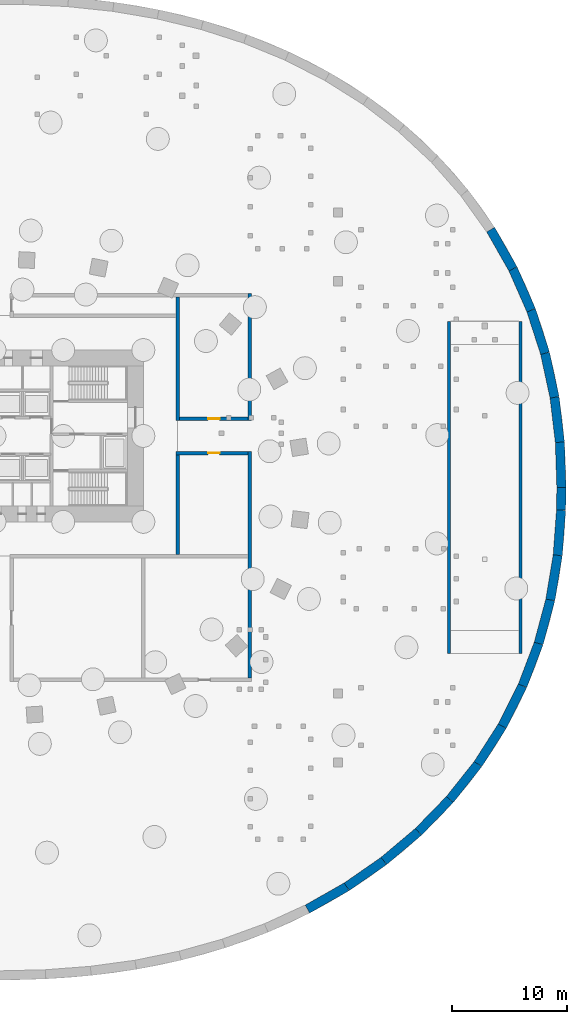
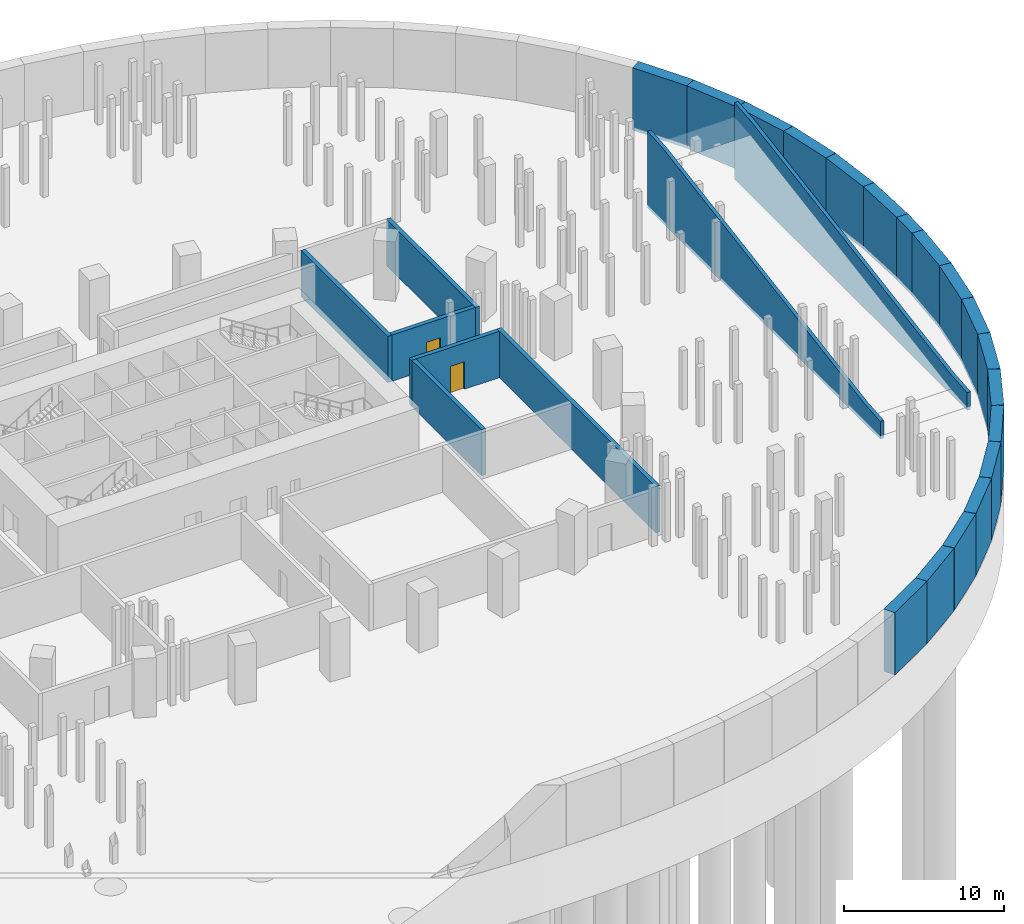
# One storey, part 7 of 10: 26 walls, 2 doors, 2 openings.
"""IFC4 building model written with IfcOpenShell, lengths in metres."""

from ifc_helpers import new_model, si_unit, direction, frame, frame_2d, origin, place, context, subcontext, project, spatial, polyline, rectangle, outline, extrude, material, layer, layer_set, type_object, element, fill, save


model = new_model("IFC4")

# Units and contexts
model_context = context("Model", 3, precision=1e-05, world=origin(), true_north=direction((0.0, 1.0)))
body_context = subcontext(model_context, "Body", "Model", "MODEL_VIEW")
ifc_project = project(units=[si_unit("LENGTHUNIT", "METRE"), si_unit("AREAUNIT", "SQUARE_METRE"), si_unit("VOLUMEUNIT", "CUBIC_METRE"), si_unit("PLANEANGLEUNIT", "RADIAN"), si_unit("MASSUNIT", "GRAM", prefix="KILO")], contexts=[model_context])

# Site, building, storey
site_placement = place(None, origin())
site = spatial("IfcSite", under=ifc_project, at=site_placement, CompositionType="ELEMENT")
building_placement = place(site_placement, origin())
building = spatial("IfcBuilding", under=site, at=building_placement, Name="Rubra Terraces Tower", CompositionType="ELEMENT")
storey_placement = place(building_placement, frame((0.0, 0.0, -15.0)))
storey = spatial("IfcBuildingStorey", under=building, at=storey_placement, Name="B3", CompositionType="ELEMENT", Elevation=-15.0)

# Walls
ifc_material_1 = material(Name="Concrete C40", Category="concrete")
ifc_layer_1 = layer(ifc_material_1, 0.800048828125)
ifc_layer_set_1 = layer_set([ifc_layer_1], Name="Concrete C40")
wall_type_1 = type_object("IfcWallType", Name="BASEMENT WALL 800", PredefinedType="SOLIDWALL", material=ifc_layer_set_1)
wall_1_placement = place(storey_placement, frame((49.5, -0.00390625, -0.25), z_axis=(0.0, 0.0, 1.0), x_axis=(-0.01474436979, -0.999891295871, 0.0)))
element("IfcWall", 1, at=wall_1_placement, inside=storey, type_object=wall_type_1, Name="wall-B3-basement-001", PredefinedType="SOLIDWALL", context=body_context, shape_type="SweptSolid", body=[
    extrude(rectangle(XDim=1.970458984375, YDim=0.800048828125, at=frame_2d((0.9853515625, 0.0))), origin(), (0.0, 0.0, 1.0), 4.75),
])
wall_2_placement = place(storey_placement, frame((49.470947265625, -1.97412109375, -0.25), z_axis=(0.0, 0.0, 1.0), x_axis=(-0.074099136605, -0.997250880147, 0.0)))
element("IfcWall", 2, at=wall_2_placement, inside=storey, type_object=wall_type_1, Name="wall-B3-basement-002", PredefinedType="SOLIDWALL", context=body_context, shape_type="SweptSolid", body=[
    extrude(rectangle(XDim=3.953857421875, YDim=0.800048828125, at=frame_2d((1.97705078125, 0.0))), origin(), (0.0, 0.0, 1.0), 4.75),
])
wall_3_placement = place(storey_placement, frame((49.177978515625, -5.9169921875, -0.25), z_axis=(0.0, 0.0, 1.0), x_axis=(-0.163455839826, -0.986550651729, 0.0)))
element("IfcWall", 3, at=wall_3_placement, inside=storey, type_object=wall_type_1, Name="wall-B3-basement-003", PredefinedType="SOLIDWALL", context=body_context, shape_type="SweptSolid", body=[
    extrude(rectangle(XDim=3.946044921875, YDim=0.800048828125, at=frame_2d((1.97314453125, 0.0))), origin(), (0.0, 0.0, 1.0), 4.75),
])
wall_4_placement = place(storey_placement, frame((48.532958984375, -9.81005859375, -0.25), z_axis=(0.0, 0.0, 1.0), x_axis=(-0.259149694678, -0.965837168341, 0.0)))
element("IfcWall", 4, at=wall_4_placement, inside=storey, type_object=wall_type_1, Name="wall-B3-basement-004", PredefinedType="SOLIDWALL", context=body_context, shape_type="SweptSolid", body=[
    extrude(rectangle(XDim=3.943603515625, YDim=0.800048828125, at=frame_2d((1.9716796875, 0.0))), origin(), (0.0, 0.0, 1.0), 4.75),
])
wall_5_placement = place(storey_placement, frame((47.510986328125, -13.618896484375, -0.25), z_axis=(0.0, 0.0, 1.0), x_axis=(-0.355258877159, -0.93476795527, 0.0)))
element("IfcWall", 5, at=wall_5_placement, inside=storey, type_object=wall_type_1, Name="wall-B3-basement-005", PredefinedType="SOLIDWALL", context=body_context, shape_type="SweptSolid", body=[
    extrude(rectangle(XDim=3.943359375, YDim=0.800048828125, at=frame_2d((1.9716796875, 0.0))), origin(), (0.0, 0.0, 1.0), 4.75),
])
wall_6_placement = place(storey_placement, frame((46.110107421875, -17.304931640625, -0.25), z_axis=(0.0, 0.0, 1.0), x_axis=(-0.44924376219, -0.893409224339, 0.0)))
element("IfcWall", 6, at=wall_6_placement, inside=storey, type_object=wall_type_1, Name="wall-B3-basement-006", PredefinedType="SOLIDWALL", context=body_context, shape_type="SweptSolid", body=[
    extrude(rectangle(XDim=3.942138671875, YDim=0.800048828125, at=frame_2d((1.97119140625, 0.0))), origin(), (0.0, 0.0, 1.0), 4.75),
])
wall_7_placement = place(storey_placement, frame((44.339111328125, -20.826904296875, -0.25), z_axis=(0.0, 0.0, 1.0), x_axis=(-0.538906036872, -0.842365884532, 0.0)))
element("IfcWall", 7, at=wall_7_placement, inside=storey, type_object=wall_type_1, Name="wall-B3-basement-007", PredefinedType="SOLIDWALL", context=body_context, shape_type="SweptSolid", body=[
    extrude(rectangle(XDim=3.94140625, YDim=0.800048828125, at=frame_2d((1.970703125, 0.0))), origin(), (0.0, 0.0, 1.0), 4.75),
])
wall_8_placement = place(storey_placement, frame((42.215087890625, -24.14697265625, -0.25), z_axis=(0.0, 0.0, 1.0), x_axis=(-0.622154611961, -0.782894398252, 0.0)))
element("IfcWall", 8, at=wall_8_placement, inside=storey, type_object=wall_type_1, Name="wall-B3-basement-008", PredefinedType="SOLIDWALL", context=body_context, shape_type="SweptSolid", body=[
    extrude(rectangle(XDim=3.94287109375, YDim=0.800048828125, at=frame_2d((1.971435546875, 0.0))), origin(), (0.0, 0.0, 1.0), 4.75),
])
wall_9_placement = place(storey_placement, frame((39.761962890625, -27.23388671875, -0.25), z_axis=(0.0, 0.0, 1.0), x_axis=(-0.697258698396, -0.716819578074, 0.0)))
element("IfcWall", 9, at=wall_9_placement, inside=storey, type_object=wall_type_1, Name="wall-B3-basement-009", PredefinedType="SOLIDWALL", context=body_context, shape_type="SweptSolid", body=[
    extrude(rectangle(XDim=3.944091796875, YDim=0.800048828125, at=frame_2d((1.97216796875, 0.0))), origin(), (0.0, 0.0, 1.0), 4.75),
])
wall_10_placement = place(storey_placement, frame((37.011962890625, -30.06103515625, -0.25), z_axis=(0.0, 0.0, 1.0), x_axis=(-0.764050254551, -0.645156731749, 0.0)))
element("IfcWall", 10, at=wall_10_placement, inside=storey, type_object=wall_type_1, Name="wall-B3-basement-010", PredefinedType="SOLIDWALL", context=body_context, shape_type="SweptSolid", body=[
    extrude(rectangle(XDim=3.944580078125, YDim=0.800048828125, at=frame_2d((1.97216796875, 0.0))), origin(), (0.0, 0.0, 1.0), 4.75),
])
wall_11_placement = place(storey_placement, frame((33.998046875, -32.60595703125, -0.25), z_axis=(0.0, 0.0, 1.0), x_axis=(-0.821333730516, -0.570447984584, 0.0)))
element("IfcWall", 11, at=wall_11_placement, inside=storey, type_object=wall_type_1, Name="wall-B3-basement-011", PredefinedType="SOLIDWALL", context=body_context, shape_type="SweptSolid", body=[
    extrude(rectangle(XDim=3.946044921875, YDim=0.800048828125, at=frame_2d((1.97314453125, 0.0))), origin(), (0.0, 0.0, 1.0), 4.75),
])
wall_12_placement = place(storey_placement, frame((30.757080078125, -34.85693359375, -0.25), z_axis=(0.0, 0.0, 1.0), x_axis=(-0.869457764199, -0.494007283625, 0.0)))
element("IfcWall", 12, at=wall_12_placement, inside=storey, type_object=wall_type_1, Name="wall-B3-basement-012", PredefinedType="SOLIDWALL", context=body_context, shape_type="SweptSolid", body=[
    extrude(rectangle(XDim=3.94970703125, YDim=0.800048828125, at=frame_2d((1.974853515625, 0.0))), origin(), (0.0, 0.0, 1.0), 4.75),
])
wall_13_placement = place(storey_placement, frame((43.320068359375, 22.513916015625, -0.25), z_axis=(0.0, 0.0, 1.0), x_axis=(0.494650889592, -0.869091765825, 0.0)))
element("IfcWall", 13, at=wall_13_placement, inside=storey, type_object=wall_type_1, Name="wall-B3-basement-070", PredefinedType="SOLIDWALL", context=body_context, shape_type="SweptSolid", body=[
    extrude(rectangle(XDim=3.942138671875, YDim=0.800048828125, at=frame_2d((1.97119140625, 0.0))), origin(), (0.0, 0.0, 1.0), 4.75),
])
wall_14_placement = place(storey_placement, frame((45.27001953125, 19.087890625, -0.25), z_axis=(0.0, 0.0, 1.0), x_axis=(0.402825786485, -0.915276671691, 0.0)))
element("IfcWall", 14, at=wall_14_placement, inside=storey, type_object=wall_type_1, Name="wall-B3-basement-071", PredefinedType="SOLIDWALL", context=body_context, shape_type="SweptSolid", body=[
    extrude(rectangle(XDim=3.94189453125, YDim=0.800048828125, at=frame_2d((1.970947265625, 0.0))), origin(), (0.0, 0.0, 1.0), 4.75),
])
wall_15_placement = place(storey_placement, frame((46.85791015625, 15.47998046875, -0.25), z_axis=(0.0, 0.0, 1.0), x_axis=(0.307131205026, -0.951667180741, 0.0)))
element("IfcWall", 15, at=wall_15_placement, inside=storey, type_object=wall_type_1, Name="wall-B3-basement-072", PredefinedType="SOLIDWALL", context=body_context, shape_type="SweptSolid", body=[
    extrude(rectangle(XDim=3.943603515625, YDim=0.800048828125, at=frame_2d((1.9716796875, 0.0))), origin(), (0.0, 0.0, 1.0), 4.75),
])
wall_16_placement = place(storey_placement, frame((48.069091796875, 11.72705078125, -0.25), z_axis=(0.0, 0.0, 1.0), x_axis=(0.211211318585, -0.977440422175, 0.0)))
element("IfcWall", 16, at=wall_16_placement, inside=storey, type_object=wall_type_1, Name="wall-B3-basement-073", PredefinedType="SOLIDWALL", context=body_context, shape_type="SweptSolid", body=[
    extrude(rectangle(XDim=3.94384765625, YDim=0.800048828125, at=frame_2d((1.971923828125, 0.0))), origin(), (0.0, 0.0, 1.0), 4.75),
])
wall_17_placement = place(storey_placement, frame((48.902099609375, 7.8720703125, -0.25), z_axis=(0.0, 0.0, 1.0), x_axis=(0.117752618561, -0.99304296021, 0.0)))
element("IfcWall", 17, at=wall_17_placement, inside=storey, type_object=wall_type_1, Name="wall-B3-basement-074", PredefinedType="SOLIDWALL", context=body_context, shape_type="SweptSolid", body=[
    extrude(rectangle(XDim=3.947509765625, YDim=0.800048828125, at=frame_2d((1.9736328125, 0.0))), origin(), (0.0, 0.0, 1.0), 4.75),
])
wall_18_placement = place(storey_placement, frame((49.366943359375, 3.951904296875, -0.25), z_axis=(0.0, 0.0, 1.0), x_axis=(0.03361673547, -0.999434797821, 0.0)))
element("IfcWall", 18, at=wall_18_placement, inside=storey, type_object=wall_type_1, Name="wall-B3-basement-075", PredefinedType="SOLIDWALL", context=body_context, shape_type="SweptSolid", body=[
    extrude(rectangle(XDim=3.9580078125, YDim=0.800048828125, at=frame_2d((1.97900390625, 0.0))), origin(), (0.0, 0.0, 1.0), 4.75),
])
ifc_material_2 = material(Name="Blockwork", Category="masonry")
ifc_layer_2 = layer(ifc_material_2, 0.300048828125)
ifc_layer_set_2 = layer_set([ifc_layer_2], Name="Blockwork")
wall_type_2 = type_object("IfcWallType", Name="Plant wall 300 blockwork", PredefinedType="SOLIDWALL", material=ifc_layer_set_2)
wall_19_placement = place(storey_placement, frame((22.300048828125, -16.64990234375, 0.0), z_axis=(0.0, 0.0, 1.0), x_axis=(0.0, 1.0, 0.0)))
element("IfcWall", 19, at=wall_19_placement, inside=storey, type_object=wall_type_2, Name="Plant room wall", PredefinedType="SOLIDWALL", context=body_context, shape_type="SweptSolid", body=[
    extrude(rectangle(XDim=19.7998046875, YDim=0.300048828125, at=frame_2d((9.89990234375, 0.0))), origin(), (0.0, 0.0, 1.0), 3.530029296875),
])

# Wall, opening, door
wall_20_placement = place(storey_placement, frame((22.14990234375, 3.0, 0.0), z_axis=(0.0, 0.0, 1.0), x_axis=(-1.0, 0.0, 0.0)))
wall_20 = element("IfcWall", 20, at=wall_20_placement, inside=storey, type_object=wall_type_2, Name="Plant room wall", PredefinedType="SOLIDWALL", context=body_context, shape_type="SweptSolid", body=[
    extrude(rectangle(XDim=6.2998046875, YDim=0.300048828125, at=frame_2d((3.14990234375, 0.0))), origin(), (0.0, 0.0, 1.0), 3.530029296875),
])
opening_1_placement = place(wall_20_placement, frame((2.5, 0.0, 0.0)))
opening_1 = element("IfcOpeningElement", 21, at=opening_1_placement, cuts=wall_20, Name="Opening DB1", PredefinedType="OPENING", context=body_context, shape_type="SweptSolid", body=[
    extrude(rectangle(XDim=1.0, YDim=2.10009765625, at=frame_2d((0.5, 1.050048828125))), frame((0.0, 0.159912109375, 0.0), z_axis=(0.0, -1.0, 0.0), x_axis=(1.0, 0.0, 0.0)), (0.0, 0.0, 1.0), 0.320068359375),
])
ifc_material_3 = material(Name="Painted timber", Category="wood")
door_type = type_object("IfcDoorType", Name="Door 1000x2100 single", OperationType="NOTDEFINED", PredefinedType="DOOR", material=ifc_material_3)
door_1_placement = place(opening_1_placement, origin())
door_1 = element("IfcDoor", 22, at=door_1_placement, inside=storey, type_object=door_type, Name="Plant room door B3-07", OperationType="SINGLE_SWING_LEFT", OverallHeight=2.10009765625, OverallWidth=1.0, PredefinedType="DOOR", context=body_context, shape_type="SweptSolid", body=[
    extrude(rectangle(XDim=1.0, YDim=2.10009765625, at=frame_2d((0.5, 1.050048828125))), frame((0.0, 0.02490234375, 0.0), z_axis=(0.0, -1.0, 0.0), x_axis=(1.0, 0.0, 0.0)), (0.0, 0.0, 1.0), 0.050048828125),
])
fill(opening_1, door_1)

# Walls
wall_21_placement = place(storey_placement, frame((16.0, 2.85009765625, 0.0), z_axis=(0.0, 0.0, 1.0), x_axis=(0.0, -1.0, 0.0)))
element("IfcWall", 23, at=wall_21_placement, inside=storey, type_object=wall_type_2, Name="Plant room wall", PredefinedType="SOLIDWALL", context=body_context, shape_type="SweptSolid", body=[
    extrude(rectangle(XDim=8.7001953125, YDim=0.300048828125, at=frame_2d((4.35009765625, 0.0))), origin(), (0.0, 0.0, 1.0), 3.530029296875),
])
wall_22_placement = place(storey_placement, frame((22.300048828125, 5.85009765625, 0.0), z_axis=(0.0, 0.0, 1.0), x_axis=(0.0, 1.0, 0.0)))
element("IfcWall", 24, at=wall_22_placement, inside=storey, type_object=wall_type_2, Name="Plant room wall", PredefinedType="SOLIDWALL", context=body_context, shape_type="SweptSolid", body=[
    extrude(rectangle(XDim=11.099853515625, YDim=0.300048828125, at=frame_2d((5.5498046875, 0.0))), origin(), (0.0, 0.0, 1.0), 3.530029296875),
])
wall_23_placement = place(storey_placement, frame((16.0, 16.64990234375, 0.0), z_axis=(0.0, 0.0, 1.0), x_axis=(0.0, -1.0, 0.0)))
element("IfcWall", 25, at=wall_23_placement, inside=storey, type_object=wall_type_2, Name="Plant room wall", PredefinedType="SOLIDWALL", context=body_context, shape_type="SweptSolid", body=[
    extrude(rectangle(XDim=10.7998046875, YDim=0.300048828125, at=frame_2d((5.39990234375, 0.0))), origin(), (0.0, 0.0, 1.0), 3.530029296875),
])

# Wall, opening, door
wall_24_placement = place(storey_placement, frame((16.14990234375, 6.0, 0.0), z_axis=(0.0, 0.0, 1.0), x_axis=(1.0, 0.0, 0.0)))
wall_24 = element("IfcWall", 26, at=wall_24_placement, inside=storey, type_object=wall_type_2, Name="Plant room wall", PredefinedType="SOLIDWALL", context=body_context, shape_type="SweptSolid", body=[
    extrude(rectangle(XDim=6.0, YDim=0.300048828125, at=frame_2d((3.0, 0.0))), origin(), (0.0, 0.0, 1.0), 3.530029296875),
])
opening_2_placement = place(wall_24_placement, frame((2.5, 0.0, 0.0)))
opening_2 = element("IfcOpeningElement", 27, at=opening_2_placement, cuts=wall_24, Name="Opening DB1", PredefinedType="OPENING", context=body_context, shape_type="SweptSolid", body=[
    extrude(rectangle(XDim=1.0, YDim=2.10009765625, at=frame_2d((0.5, 1.050048828125))), frame((0.0, 0.159912109375, 0.0), z_axis=(0.0, -1.0, 0.0), x_axis=(1.0, 0.0, 0.0)), (0.0, 0.0, 1.0), 0.320068359375),
])
door_2_placement = place(opening_2_placement, origin())
door_2 = element("IfcDoor", 28, at=door_2_placement, inside=storey, type_object=door_type, Name="Plant room door B3-08", OperationType="SINGLE_SWING_LEFT", OverallHeight=2.10009765625, OverallWidth=1.0, PredefinedType="DOOR", context=body_context, shape_type="SweptSolid", body=[
    extrude(rectangle(XDim=1.0, YDim=2.10009765625, at=frame_2d((0.5, 1.050048828125))), frame((0.0, 0.02490234375, 0.0), z_axis=(0.0, -1.0, 0.0), x_axis=(1.0, 0.0, 0.0)), (0.0, 0.0, 1.0), 0.050048828125),
])
fill(opening_2, door_2)

# Walls
ifc_material_4 = material(Name="Concrete C40/50", Category="concrete")
ifc_layer_3 = layer(ifc_material_4, 0.25)
ifc_layer_set_3 = layer_set([ifc_layer_3], Name="Concrete C40/50")
wall_type_3 = type_object("IfcWallType", Name="Ramp wall 250 concrete", PredefinedType="SOLIDWALL", material=ifc_layer_set_3)
for number, where, z_axis, x_axis, name in (
    (29, (45.925048828125, -14.5, -0.25), (0.0, 0.0, 1.0), (0.0, 1.0, 0.0), "Ramp wall"),
    (30, (39.675048828125, -14.5, -0.25), (0.0, 0.0, 1.0), (0.0, 1.0, 0.0), "Ramp wall"),
):
    element("IfcWall", number, at=place(storey_placement, frame(where, z_axis=z_axis, x_axis=x_axis)), inside=storey, type_object=wall_type_3, Name=name, PredefinedType="SOLIDWALL", context=body_context, shape_type="SweptSolid", body=[
        extrude(outline(polyline([(0.0, 0.0), (29.0, 0.0), (29.0, 5.85009765625), (27.0, 5.68310546875), (2.0, 1.51708984375), (0.0, 1.35009765625), (0.0, 0.0)])), frame((0.0, 0.125, 0.0), z_axis=(0.0, -1.0, 0.0), x_axis=(1.0, 0.0, 0.0)), (0.0, 0.0, 1.0), 0.25),
    ])

save(model, "model.ifc")
